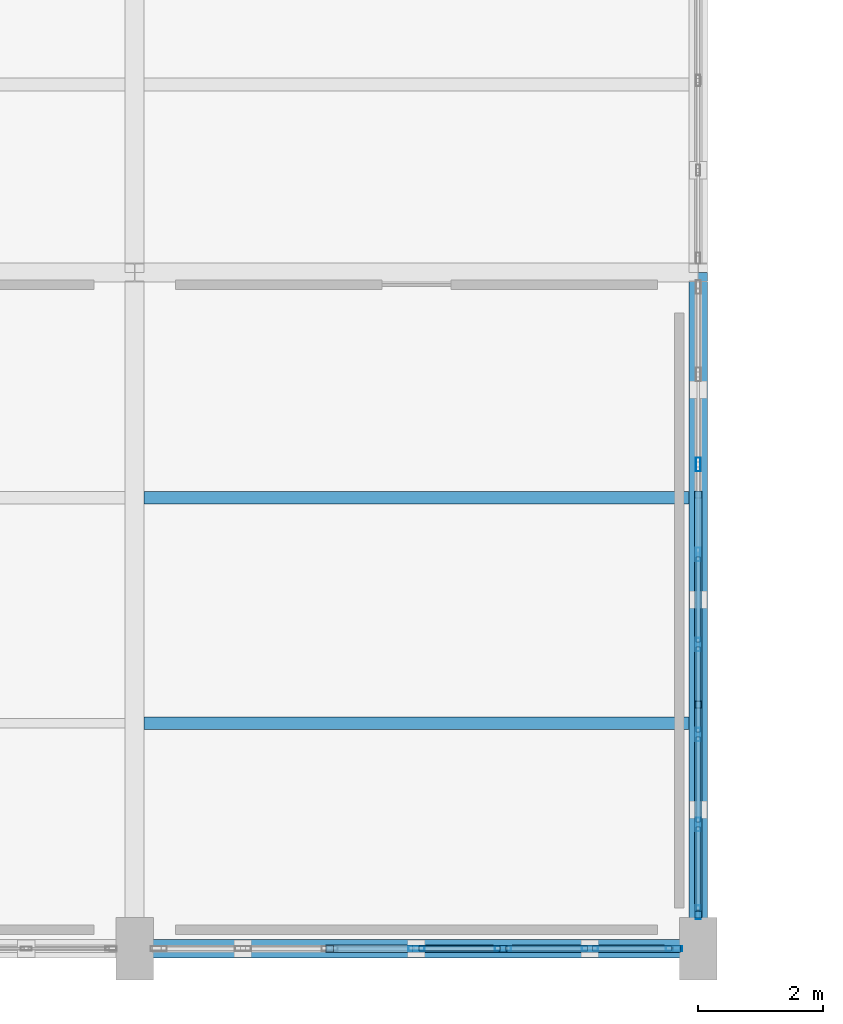
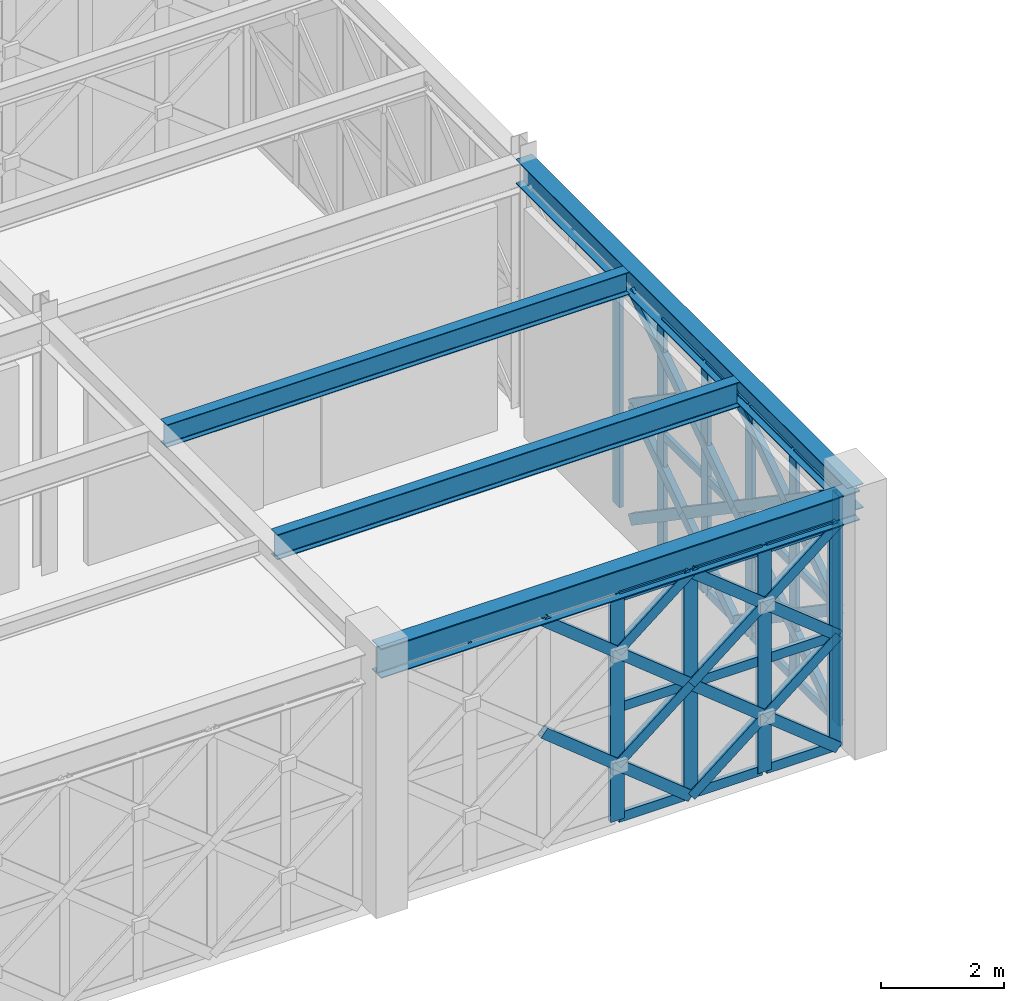
# One storey, part 46 of 155: 53 members, 4 beams, 2 elements without a shape of their own.
"""IFC4 building model written with IfcOpenShell, lengths in metres."""

from ifc_helpers import new_model, si_unit, direction, frame, origin, origin_2d, place, context, subcontext, project, spatial, hollow_rectangle, i_section, extrude, material, material_profile, profile_set, type_object, element, aggregate, save


model = new_model("IFC4")

# Units and contexts
model_context = context("Model", 3, precision=1e-05, world=origin(), true_north=direction((0.0, 1.0)))
body_context = subcontext(model_context, "Body", "Model", "MODEL_VIEW")
ifc_project = project(units=[si_unit("LENGTHUNIT", "METRE"), si_unit("AREAUNIT", "SQUARE_METRE"), si_unit("VOLUMEUNIT", "CUBIC_METRE"), si_unit("PLANEANGLEUNIT", "RADIAN"), si_unit("MASSUNIT", "GRAM", prefix="KILO")], contexts=[model_context])

# Site, building, storey
site_placement = place(None, origin())
site = spatial("IfcSite", under=ifc_project, at=site_placement, CompositionType="ELEMENT")
building_placement = place(site_placement, origin())
building = spatial("IfcBuilding", under=site, at=building_placement, Name="Haizhuo Lancet Aquarium", CompositionType="ELEMENT")
storey_placement = place(building_placement, frame((0.0, 0.0, 10.800048828125)))
storey = spatial("IfcBuildingStorey", under=building, at=storey_placement, Name="L02", CompositionType="ELEMENT", Elevation=10.800048828125)

# Beams
ifc_material_1 = material(Name="Steel S355", Category="steel")
ifc_material_profile_1 = material_profile(ifc_material_1, i_section(OverallWidth=0.300048828125, OverallDepth=0.488037109375, WebThickness=0.010986328125, FlangeThickness=0.01806640625, FilletRadius=0.02392578125, at=origin_2d()), Name="HM 488x300x11x18")
ifc_profile_set_1 = profile_set([ifc_material_profile_1], Name="Steel S355")
beam_type_1 = type_object("IfcBeamType", Name="BM-ST-HM488", PredefinedType="BEAM", material=ifc_profile_set_1)
beam_1_placement = place(storey_placement, frame((18.0, -55.800048828125, 4.805908203125), z_axis=(0.0, 1.0, 0.0), x_axis=(-1.0, 0.0, 0.0)))
element("IfcBeam", 1, at=beam_1_placement, inside=storey, type_object=beam_type_1, Name="L02 V4 primary girder BM-L02-V4-026", PredefinedType="BEAM", context=body_context, shape_type="SweptSolid", body=[
    extrude(i_section(OverallWidth=0.300048828125, OverallDepth=0.488037109375, WebThickness=0.010986328125, FlangeThickness=0.01806640625, FilletRadius=0.02392578125, at=origin_2d()), origin(), (0.0, 0.0, 1.0), 10.800048828125),
])
ifc_material_profile_2 = material_profile(ifc_material_1, i_section(OverallWidth=0.300048828125, OverallDepth=0.587890625, WebThickness=0.011962890625, FlangeThickness=0.02001953125, FilletRadius=0.02587890625, at=origin_2d()), Name="HM 588x300x12x20")
ifc_profile_set_2 = profile_set([ifc_material_profile_2], Name="Steel S355")
beam_type_2 = type_object("IfcBeamType", Name="BM-ST-HM588", PredefinedType="BEAM", material=ifc_profile_set_2)
beam_2_placement = place(storey_placement, frame((9.0, -55.800048828125, 4.755859375), z_axis=(1.0, 0.0, 0.0), x_axis=(0.0, 1.0, 0.0)))
element("IfcBeam", 2, at=beam_2_placement, inside=storey, type_object=beam_type_2, Name="L02 V4 primary girder BM-L02-V4-021", PredefinedType="BEAM", context=body_context, shape_type="SweptSolid", body=[
    extrude(i_section(OverallWidth=0.300048828125, OverallDepth=0.587890625, WebThickness=0.011962890625, FlangeThickness=0.02001953125, FilletRadius=0.02587890625, at=origin_2d()), origin(), (0.0, 0.0, 1.0), 9.0),
])

# Curtain wall, members
ifc_material_2 = material(Name="Aluminium 6063-T6", Category="aluminium")
curtain_wall_type_1 = type_object("IfcCurtainWallType", Name="CWO-10060x4560", PredefinedType="NOTDEFINED", material=ifc_material_2)
curtain_wall_1_placement = place(storey_placement, origin())
curtain_wall_1 = element("IfcCurtainWall", 3, at=curtain_wall_1_placement, inside=storey, type_object=curtain_wall_type_1, Name="L02 curtain wall CW-V4-L02-107", PredefinedType="NOTDEFINED")
ifc_material_profile_3 = material_profile(ifc_material_2, hollow_rectangle(XDim=0.074951171875, YDim=0.219970703125, WallThickness=0.0048828125, at=origin_2d()), Name="ALU-M 75x220x5")
ifc_profile_set_3 = profile_set([ifc_material_profile_3], Name="Aluminium 6063-T6")
member_type_1 = type_object("IfcMemberType", Name="CW-MUL-2", PredefinedType="MULLION", material=ifc_profile_set_3)
member_1_placement = place(storey_placement, frame((18.0, -48.069091796875, 0.0), z_axis=(0.0, 0.0, 1.0), x_axis=(1.0, 0.0, 0.0)))
member_1 = element("IfcMember", 4, at=member_1_placement, type_object=member_type_1, Name="CWO-100x45 mullion 3", PredefinedType="MULLION", context=body_context, shape_type="SweptSolid", body=[
    extrude(hollow_rectangle(XDim=0.074951171875, YDim=0.219970703125, WallThickness=0.0048828125, at=origin_2d()), origin(), (0.0, 0.0, 1.0), 4.56201171875),
])
member_2_placement = place(storey_placement, frame((18.0, -49.506103515625, 0.0), z_axis=(0.0, 0.0, 1.0), x_axis=(1.0, 0.0, 0.0)))
member_2 = element("IfcMember", 5, at=member_2_placement, type_object=member_type_1, Name="CWO-100x45 mullion 4", PredefinedType="MULLION", context=body_context, shape_type="SweptSolid", body=[
    extrude(hollow_rectangle(XDim=0.074951171875, YDim=0.219970703125, WallThickness=0.0048828125, at=origin_2d()), origin(), (0.0, 0.0, 1.0), 4.56201171875),
])
member_3_placement = place(storey_placement, frame((18.0, -50.944091796875, 0.0), z_axis=(0.0, 0.0, 1.0), x_axis=(1.0, 0.0, 0.0)))
member_3 = element("IfcMember", 6, at=member_3_placement, type_object=member_type_1, Name="CWO-100x45 mullion 5", PredefinedType="MULLION", context=body_context, shape_type="SweptSolid", body=[
    extrude(hollow_rectangle(XDim=0.074951171875, YDim=0.219970703125, WallThickness=0.0048828125, at=origin_2d()), origin(), (0.0, 0.0, 1.0), 4.56201171875),
])
member_4_placement = place(storey_placement, frame((18.0, -52.381103515625, 0.0), z_axis=(0.0, 0.0, 1.0), x_axis=(1.0, 0.0, 0.0)))
member_4 = element("IfcMember", 7, at=member_4_placement, type_object=member_type_1, Name="CWO-100x45 mullion 6", PredefinedType="MULLION", context=body_context, shape_type="SweptSolid", body=[
    extrude(hollow_rectangle(XDim=0.074951171875, YDim=0.219970703125, WallThickness=0.0048828125, at=origin_2d()), origin(), (0.0, 0.0, 1.0), 4.56201171875),
])
member_5_placement = place(storey_placement, frame((18.0, -53.818115234375, 0.0), z_axis=(0.0, 0.0, 1.0), x_axis=(1.0, 0.0, 0.0)))
member_5 = element("IfcMember", 8, at=member_5_placement, type_object=member_type_1, Name="CWO-100x45 mullion 7", PredefinedType="MULLION", context=body_context, shape_type="SweptSolid", body=[
    extrude(hollow_rectangle(XDim=0.074951171875, YDim=0.219970703125, WallThickness=0.0048828125, at=origin_2d()), origin(), (0.0, 0.0, 1.0), 4.56201171875),
])
member_6_placement = place(storey_placement, frame((18.0, -55.218017578125, 0.0), z_axis=(0.0, 0.0, 1.0), x_axis=(1.0, 0.0, 0.0)))
member_6 = element("IfcMember", 9, at=member_6_placement, type_object=member_type_1, Name="CWO-100x45 mullion 8", PredefinedType="MULLION", context=body_context, shape_type="SweptSolid", body=[
    extrude(hollow_rectangle(XDim=0.074951171875, YDim=0.219970703125, WallThickness=0.0048828125, at=origin_2d()), origin(), (0.0, 0.0, 1.0), 4.56201171875),
])

curtain_wall_type_2 = type_object("IfcCurtainWallType", Name="CWO-8310x4460", PredefinedType="NOTDEFINED", material=ifc_material_2)
curtain_wall_2_placement = place(storey_placement, origin())
curtain_wall_2 = element("IfcCurtainWall", 10, at=curtain_wall_2_placement, inside=storey, type_object=curtain_wall_type_2, Name="L02 curtain wall CW-V4-L02-108", PredefinedType="NOTDEFINED")
ifc_material_profile_4 = material_profile(ifc_material_2, hollow_rectangle(XDim=0.080078125, YDim=0.260009765625, WallThickness=0.0048828125, at=origin_2d()), Name="ALU-M 80x260x5")
ifc_profile_set_4 = profile_set([ifc_material_profile_4], Name="Aluminium 6063-T6")
member_type_2 = type_object("IfcMemberType", Name="CW-MUL-3", PredefinedType="MULLION", material=ifc_profile_set_4)
member_7_placement = place(storey_placement, frame((17.614990234375, -55.800048828125, 0.0), z_axis=(0.0, 0.0, 1.0), x_axis=(0.0, -1.0, 0.0)))
member_7 = element("IfcMember", 11, at=member_7_placement, type_object=member_type_2, Name="CWO-83x44 mullion 1", PredefinedType="MULLION", context=body_context, shape_type="SweptSolid", body=[
    extrude(hollow_rectangle(XDim=0.080078125, YDim=0.260009765625, WallThickness=0.0048828125, at=origin_2d()), origin(), (0.0, 0.0, 1.0), 4.4619140625),
])
member_8_placement = place(storey_placement, frame((16.27001953125, -55.800048828125, 0.0), z_axis=(0.0, 0.0, 1.0), x_axis=(0.0, -1.0, 0.0)))
member_8 = element("IfcMember", 12, at=member_8_placement, type_object=member_type_2, Name="CWO-83x44 mullion 2", PredefinedType="MULLION", context=body_context, shape_type="SweptSolid", body=[
    extrude(hollow_rectangle(XDim=0.080078125, YDim=0.260009765625, WallThickness=0.0048828125, at=origin_2d()), origin(), (0.0, 0.0, 1.0), 4.4619140625),
])
member_9_placement = place(storey_placement, frame((14.885009765625, -55.800048828125, 0.0), z_axis=(0.0, 0.0, 1.0), x_axis=(0.0, -1.0, 0.0)))
member_9 = element("IfcMember", 13, at=member_9_placement, type_object=member_type_2, Name="CWO-83x44 mullion 3", PredefinedType="MULLION", context=body_context, shape_type="SweptSolid", body=[
    extrude(hollow_rectangle(XDim=0.080078125, YDim=0.260009765625, WallThickness=0.0048828125, at=origin_2d()), origin(), (0.0, 0.0, 1.0), 4.4619140625),
])
member_10_placement = place(storey_placement, frame((13.5, -55.800048828125, 0.0), z_axis=(0.0, 0.0, 1.0), x_axis=(0.0, -1.0, 0.0)))
member_10 = element("IfcMember", 14, at=member_10_placement, type_object=member_type_2, Name="CWO-83x44 mullion 4", PredefinedType="MULLION", context=body_context, shape_type="SweptSolid", body=[
    extrude(hollow_rectangle(XDim=0.080078125, YDim=0.260009765625, WallThickness=0.0048828125, at=origin_2d()), origin(), (0.0, 0.0, 1.0), 4.4619140625),
])

# Member
ifc_material_profile_5 = material_profile(ifc_material_2, hollow_rectangle(XDim=0.074951171875, YDim=0.159912109375, WallThickness=0.00390625, at=origin_2d()), Name="ALU-T 75x160x4")
ifc_profile_set_5 = profile_set([ifc_material_profile_5], Name="Aluminium 6063-T6")
member_type_3 = type_object("IfcMemberType", Name="CW-TRN-2", PredefinedType="NOTDEFINED", material=ifc_profile_set_5)
member_11_placement = place(storey_placement, frame((18.0, -49.5439453125, 0.037841796875), z_axis=(0.0, -1.0, 0.0), x_axis=(1.0, 0.0, 0.0)))
member_11 = element("IfcMember", 15, at=member_11_placement, type_object=member_type_3, Name="CWO-100x45 transom 4.1", ObjectType="TRANSOM", PredefinedType="USERDEFINED", context=body_context, shape_type="SweptSolid", body=[
    extrude(hollow_rectangle(XDim=0.074951171875, YDim=0.159912109375, WallThickness=0.00390625, at=origin_2d()), origin(), (0.0, 0.0, 1.0), 1.362060546875),
])

member_12_placement = place(storey_placement, frame((18.0, -49.5439453125, 2.281005859375), z_axis=(0.0, -1.0, 0.0), x_axis=(1.0, 0.0, 0.0)))
member_12 = element("IfcMember", 16, at=member_12_placement, type_object=member_type_3, Name="CWO-100x45 transom 4.2", ObjectType="TRANSOM", PredefinedType="USERDEFINED", context=body_context, shape_type="SweptSolid", body=[
    extrude(hollow_rectangle(XDim=0.074951171875, YDim=0.159912109375, WallThickness=0.00390625, at=origin_2d()), origin(), (0.0, 0.0, 1.0), 1.362060546875),
])

member_13_placement = place(storey_placement, frame((18.0, -49.5439453125, 4.52490234375), z_axis=(0.0, -1.0, 0.0), x_axis=(1.0, 0.0, 0.0)))
member_13 = element("IfcMember", 17, at=member_13_placement, type_object=member_type_3, Name="CWO-100x45 transom 4.3", ObjectType="TRANSOM", PredefinedType="USERDEFINED", context=body_context, shape_type="SweptSolid", body=[
    extrude(hollow_rectangle(XDim=0.074951171875, YDim=0.159912109375, WallThickness=0.00390625, at=origin_2d()), origin(), (0.0, 0.0, 1.0), 1.362060546875),
])

member_14_placement = place(storey_placement, frame((18.0, -50.98095703125, 0.037841796875), z_axis=(0.0, -1.0, 0.0), x_axis=(1.0, 0.0, 0.0)))
member_14 = element("IfcMember", 18, at=member_14_placement, type_object=member_type_3, Name="CWO-100x45 transom 5.1", ObjectType="TRANSOM", PredefinedType="USERDEFINED", context=body_context, shape_type="SweptSolid", body=[
    extrude(hollow_rectangle(XDim=0.074951171875, YDim=0.159912109375, WallThickness=0.00390625, at=origin_2d()), origin(), (0.0, 0.0, 1.0), 1.362060546875),
])

member_15_placement = place(storey_placement, frame((18.0, -50.98095703125, 2.281005859375), z_axis=(0.0, -1.0, 0.0), x_axis=(1.0, 0.0, 0.0)))
member_15 = element("IfcMember", 19, at=member_15_placement, type_object=member_type_3, Name="CWO-100x45 transom 5.2", ObjectType="TRANSOM", PredefinedType="USERDEFINED", context=body_context, shape_type="SweptSolid", body=[
    extrude(hollow_rectangle(XDim=0.074951171875, YDim=0.159912109375, WallThickness=0.00390625, at=origin_2d()), origin(), (0.0, 0.0, 1.0), 1.362060546875),
])

member_16_placement = place(storey_placement, frame((18.0, -50.98095703125, 4.52490234375), z_axis=(0.0, -1.0, 0.0), x_axis=(1.0, 0.0, 0.0)))
member_16 = element("IfcMember", 20, at=member_16_placement, type_object=member_type_3, Name="CWO-100x45 transom 5.3", ObjectType="TRANSOM", PredefinedType="USERDEFINED", context=body_context, shape_type="SweptSolid", body=[
    extrude(hollow_rectangle(XDim=0.074951171875, YDim=0.159912109375, WallThickness=0.00390625, at=origin_2d()), origin(), (0.0, 0.0, 1.0), 1.362060546875),
])

member_17_placement = place(storey_placement, frame((18.0, -52.41796875, 0.037841796875), z_axis=(0.0, -1.0, 0.0), x_axis=(1.0, 0.0, 0.0)))
member_17 = element("IfcMember", 21, at=member_17_placement, type_object=member_type_3, Name="CWO-100x45 transom 6.1", ObjectType="TRANSOM", PredefinedType="USERDEFINED", context=body_context, shape_type="SweptSolid", body=[
    extrude(hollow_rectangle(XDim=0.074951171875, YDim=0.159912109375, WallThickness=0.00390625, at=origin_2d()), origin(), (0.0, 0.0, 1.0), 1.362060546875),
])

member_18_placement = place(storey_placement, frame((18.0, -52.41796875, 2.281005859375), z_axis=(0.0, -1.0, 0.0), x_axis=(1.0, 0.0, 0.0)))
member_18 = element("IfcMember", 22, at=member_18_placement, type_object=member_type_3, Name="CWO-100x45 transom 6.2", ObjectType="TRANSOM", PredefinedType="USERDEFINED", context=body_context, shape_type="SweptSolid", body=[
    extrude(hollow_rectangle(XDim=0.074951171875, YDim=0.159912109375, WallThickness=0.00390625, at=origin_2d()), origin(), (0.0, 0.0, 1.0), 1.362060546875),
])

member_19_placement = place(storey_placement, frame((18.0, -52.41796875, 4.52490234375), z_axis=(0.0, -1.0, 0.0), x_axis=(1.0, 0.0, 0.0)))
member_19 = element("IfcMember", 23, at=member_19_placement, type_object=member_type_3, Name="CWO-100x45 transom 6.3", ObjectType="TRANSOM", PredefinedType="USERDEFINED", context=body_context, shape_type="SweptSolid", body=[
    extrude(hollow_rectangle(XDim=0.074951171875, YDim=0.159912109375, WallThickness=0.00390625, at=origin_2d()), origin(), (0.0, 0.0, 1.0), 1.362060546875),
])

member_20_placement = place(storey_placement, frame((18.0, -53.85498046875, 0.037841796875), z_axis=(0.0, -1.0, 0.0), x_axis=(1.0, 0.0, 0.0)))
member_20 = element("IfcMember", 24, at=member_20_placement, type_object=member_type_3, Name="CWO-100x45 transom 7.1", ObjectType="TRANSOM", PredefinedType="USERDEFINED", context=body_context, shape_type="SweptSolid", body=[
    extrude(hollow_rectangle(XDim=0.074951171875, YDim=0.159912109375, WallThickness=0.00390625, at=origin_2d()), origin(), (0.0, 0.0, 1.0), 1.324951171875),
])

member_21_placement = place(storey_placement, frame((18.0, -53.85498046875, 2.281005859375), z_axis=(0.0, -1.0, 0.0), x_axis=(1.0, 0.0, 0.0)))
member_21 = element("IfcMember", 25, at=member_21_placement, type_object=member_type_3, Name="CWO-100x45 transom 7.2", ObjectType="TRANSOM", PredefinedType="USERDEFINED", context=body_context, shape_type="SweptSolid", body=[
    extrude(hollow_rectangle(XDim=0.074951171875, YDim=0.159912109375, WallThickness=0.00390625, at=origin_2d()), origin(), (0.0, 0.0, 1.0), 1.324951171875),
])

member_22_placement = place(storey_placement, frame((18.0, -53.85498046875, 4.52490234375), z_axis=(0.0, -1.0, 0.0), x_axis=(1.0, 0.0, 0.0)))
member_22 = element("IfcMember", 26, at=member_22_placement, type_object=member_type_3, Name="CWO-100x45 transom 7.3", ObjectType="TRANSOM", PredefinedType="USERDEFINED", context=body_context, shape_type="SweptSolid", body=[
    extrude(hollow_rectangle(XDim=0.074951171875, YDim=0.159912109375, WallThickness=0.00390625, at=origin_2d()), origin(), (0.0, 0.0, 1.0), 1.324951171875),
])

aggregate(curtain_wall_1, [member_1, member_2, member_3, member_4, member_5, member_6, member_11, member_12, member_13, member_14, member_15, member_16, member_17, member_18, member_19, member_20, member_21, member_22])

ifc_material_profile_6 = material_profile(ifc_material_2, hollow_rectangle(XDim=0.080078125, YDim=0.18994140625, WallThickness=0.0048828125, at=origin_2d()), Name="ALU-T 80x190x5")
ifc_profile_set_6 = profile_set([ifc_material_profile_6], Name="Aluminium 6063-T6")
member_type_4 = type_object("IfcMemberType", Name="CW-TRN-3", PredefinedType="NOTDEFINED", material=ifc_profile_set_6)
member_23_placement = place(storey_placement, frame((17.574951171875, -55.800048828125, 0.0400390625), z_axis=(-1.0, 0.0, 0.0), x_axis=(0.0, -1.0, 0.0)))
member_23 = element("IfcMember", 27, at=member_23_placement, type_object=member_type_4, Name="CWO-83x44 transom 1.1", ObjectType="TRANSOM", PredefinedType="USERDEFINED", context=body_context, shape_type="SweptSolid", body=[
    extrude(hollow_rectangle(XDim=0.080078125, YDim=0.18994140625, WallThickness=0.0048828125, at=origin_2d()), origin(), (0.0, 0.0, 1.0), 1.264892578125),
])

member_24_placement = place(storey_placement, frame((17.574951171875, -55.800048828125, 2.23095703125), z_axis=(-1.0, 0.0, 0.0), x_axis=(0.0, -1.0, 0.0)))
member_24 = element("IfcMember", 28, at=member_24_placement, type_object=member_type_4, Name="CWO-83x44 transom 1.2", ObjectType="TRANSOM", PredefinedType="USERDEFINED", context=body_context, shape_type="SweptSolid", body=[
    extrude(hollow_rectangle(XDim=0.080078125, YDim=0.18994140625, WallThickness=0.0048828125, at=origin_2d()), origin(), (0.0, 0.0, 1.0), 1.264892578125),
])

member_25_placement = place(storey_placement, frame((17.574951171875, -55.800048828125, 4.421875), z_axis=(-1.0, 0.0, 0.0), x_axis=(0.0, -1.0, 0.0)))
member_25 = element("IfcMember", 29, at=member_25_placement, type_object=member_type_4, Name="CWO-83x44 transom 1.3", ObjectType="TRANSOM", PredefinedType="USERDEFINED", context=body_context, shape_type="SweptSolid", body=[
    extrude(hollow_rectangle(XDim=0.080078125, YDim=0.18994140625, WallThickness=0.0048828125, at=origin_2d()), origin(), (0.0, 0.0, 1.0), 1.264892578125),
])

member_26_placement = place(storey_placement, frame((16.22998046875, -55.800048828125, 0.0400390625), z_axis=(-1.0, 0.0, 0.0), x_axis=(0.0, -1.0, 0.0)))
member_26 = element("IfcMember", 30, at=member_26_placement, type_object=member_type_4, Name="CWO-83x44 transom 2.1", ObjectType="TRANSOM", PredefinedType="USERDEFINED", context=body_context, shape_type="SweptSolid", body=[
    extrude(hollow_rectangle(XDim=0.080078125, YDim=0.18994140625, WallThickness=0.0048828125, at=origin_2d()), origin(), (0.0, 0.0, 1.0), 1.304931640625),
])

member_27_placement = place(storey_placement, frame((16.22998046875, -55.800048828125, 2.23095703125), z_axis=(-1.0, 0.0, 0.0), x_axis=(0.0, -1.0, 0.0)))
member_27 = element("IfcMember", 31, at=member_27_placement, type_object=member_type_4, Name="CWO-83x44 transom 2.2", ObjectType="TRANSOM", PredefinedType="USERDEFINED", context=body_context, shape_type="SweptSolid", body=[
    extrude(hollow_rectangle(XDim=0.080078125, YDim=0.18994140625, WallThickness=0.0048828125, at=origin_2d()), origin(), (0.0, 0.0, 1.0), 1.304931640625),
])

member_28_placement = place(storey_placement, frame((16.22998046875, -55.800048828125, 4.421875), z_axis=(-1.0, 0.0, 0.0), x_axis=(0.0, -1.0, 0.0)))
member_28 = element("IfcMember", 32, at=member_28_placement, type_object=member_type_4, Name="CWO-83x44 transom 2.3", ObjectType="TRANSOM", PredefinedType="USERDEFINED", context=body_context, shape_type="SweptSolid", body=[
    extrude(hollow_rectangle(XDim=0.080078125, YDim=0.18994140625, WallThickness=0.0048828125, at=origin_2d()), origin(), (0.0, 0.0, 1.0), 1.304931640625),
])

member_29_placement = place(storey_placement, frame((14.844970703125, -55.800048828125, 0.0400390625), z_axis=(-1.0, 0.0, 0.0), x_axis=(0.0, -1.0, 0.0)))
member_29 = element("IfcMember", 33, at=member_29_placement, type_object=member_type_4, Name="CWO-83x44 transom 3.1", ObjectType="TRANSOM", PredefinedType="USERDEFINED", context=body_context, shape_type="SweptSolid", body=[
    extrude(hollow_rectangle(XDim=0.080078125, YDim=0.18994140625, WallThickness=0.0048828125, at=origin_2d()), origin(), (0.0, 0.0, 1.0), 1.304931640625),
])

member_30_placement = place(storey_placement, frame((14.844970703125, -55.800048828125, 2.23095703125), z_axis=(-1.0, 0.0, 0.0), x_axis=(0.0, -1.0, 0.0)))
member_30 = element("IfcMember", 34, at=member_30_placement, type_object=member_type_4, Name="CWO-83x44 transom 3.2", ObjectType="TRANSOM", PredefinedType="USERDEFINED", context=body_context, shape_type="SweptSolid", body=[
    extrude(hollow_rectangle(XDim=0.080078125, YDim=0.18994140625, WallThickness=0.0048828125, at=origin_2d()), origin(), (0.0, 0.0, 1.0), 1.304931640625),
])

member_31_placement = place(storey_placement, frame((14.844970703125, -55.800048828125, 4.421875), z_axis=(-1.0, 0.0, 0.0), x_axis=(0.0, -1.0, 0.0)))
member_31 = element("IfcMember", 35, at=member_31_placement, type_object=member_type_4, Name="CWO-83x44 transom 3.3", ObjectType="TRANSOM", PredefinedType="USERDEFINED", context=body_context, shape_type="SweptSolid", body=[
    extrude(hollow_rectangle(XDim=0.080078125, YDim=0.18994140625, WallThickness=0.0048828125, at=origin_2d()), origin(), (0.0, 0.0, 1.0), 1.304931640625),
])

aggregate(curtain_wall_2, [member_7, member_8, member_9, member_10, member_23, member_24, member_25, member_26, member_27, member_28, member_29, member_30, member_31])

# Beams
ifc_material_profile_7 = material_profile(ifc_material_1, i_section(OverallWidth=0.199951171875, OverallDepth=0.449951171875, WebThickness=0.009033203125, FlangeThickness=0.013916015625, FilletRadius=0.01806640625, at=origin_2d()), Name="HN 450x200x9x14")
ifc_profile_set_7 = profile_set([ifc_material_profile_7], Name="Steel S355")
beam_type_3 = type_object("IfcBeamType", Name="JST-ST-HN450", PredefinedType="JOIST", material=ifc_profile_set_7)
beam_3_placement = place(storey_placement, frame((9.14990234375, -48.60009765625, 4.824951171875), z_axis=(1.0, 0.0, 0.0), x_axis=(0.0, 1.0, 0.0)))
element("IfcBeam", 36, at=beam_3_placement, inside=storey, type_object=beam_type_3, Name="L02 V4 secondary floor joist 18", PredefinedType="JOIST", context=body_context, shape_type="SweptSolid", body=[
    extrude(i_section(OverallWidth=0.199951171875, OverallDepth=0.449951171875, WebThickness=0.009033203125, FlangeThickness=0.013916015625, FilletRadius=0.01806640625, at=origin_2d()), origin(), (0.0, 0.0, 1.0), 8.7001953125),
])
ifc_material_profile_8 = material_profile(ifc_material_1, i_section(OverallWidth=0.199951171875, OverallDepth=0.5, WebThickness=0.010009765625, FlangeThickness=0.01611328125, FilletRadius=0.02001953125, at=origin_2d()), Name="HN 500x200x10x16")
ifc_profile_set_8 = profile_set([ifc_material_profile_8], Name="Steel S355")
beam_type_4 = type_object("IfcBeamType", Name="JST-ST-HN500", PredefinedType="JOIST", material=ifc_profile_set_8)
beam_4_placement = place(storey_placement, frame((9.14990234375, -52.199951171875, 4.800048828125), z_axis=(1.0, 0.0, 0.0), x_axis=(0.0, 1.0, 0.0)))
element("IfcBeam", 37, at=beam_4_placement, inside=storey, type_object=beam_type_4, Name="L02 V4 secondary floor joist 17", PredefinedType="JOIST", context=body_context, shape_type="SweptSolid", body=[
    extrude(i_section(OverallWidth=0.199951171875, OverallDepth=0.5, WebThickness=0.010009765625, FlangeThickness=0.01611328125, FilletRadius=0.02001953125, at=origin_2d()), origin(), (0.0, 0.0, 1.0), 8.7001953125),
])

# Members
ifc_material_profile_9 = material_profile(ifc_material_1, hollow_rectangle(XDim=0.1201171875, YDim=0.199951171875, WallThickness=0.008056640625, at=origin_2d()), Name="RHS 120x200x8")
ifc_profile_set_9 = profile_set([ifc_material_profile_9], Name="Steel S355")
member_type_5 = type_object("IfcMemberType", Name="MEM-LB-RHS120x200", PredefinedType="BRACE", material=ifc_profile_set_9)
member_32_placement = place(storey_placement, frame((18.0, -48.548095703125, 0.0), z_axis=(0.0, -0.826894034819, 0.562357764399), x_axis=(1.0, 0.0, 0.0)))
element("IfcMember", 38, at=member_32_placement, inside=storey, type_object=member_type_5, Name="Gothic lancet continuous diagonal brace CW-V4-L02-107 3A", PredefinedType="BRACE", context=body_context, shape_type="SweptSolid", body=[
    extrude(hollow_rectangle(XDim=0.1201171875, YDim=0.199951171875, WallThickness=0.008056640625, at=origin_2d()), origin(), (0.0, 0.0, 1.0), 4.05615234375),
])
member_33_placement = place(storey_placement, frame((18.0, -51.902099609375, 0.0), z_axis=(0.0, 0.826810066836, 0.562481211578), x_axis=(-1.0, 0.0, 0.0)))
element("IfcMember", 39, at=member_33_placement, inside=storey, type_object=member_type_5, Name="Gothic lancet split diagonal brace CW-V4-L02-107 3B1", PredefinedType="BRACE", context=body_context, shape_type="SweptSolid", body=[
    extrude(hollow_rectangle(XDim=0.1201171875, YDim=0.199951171875, WallThickness=0.008056640625, at=origin_2d()), origin(), (0.0, 0.0, 1.0), 2.0283203125),
])
member_34_placement = place(storey_placement, frame((18.0, -50.22509765625, 1.140869140625), z_axis=(0.0, 0.82697800142, 0.562234279609), x_axis=(-1.0, 0.0, 0.0)))
element("IfcMember", 40, at=member_34_placement, inside=storey, type_object=member_type_5, Name="Gothic lancet split diagonal brace CW-V4-L02-107 3B2", PredefinedType="BRACE", context=body_context, shape_type="SweptSolid", body=[
    extrude(hollow_rectangle(XDim=0.1201171875, YDim=0.199951171875, WallThickness=0.008056640625, at=origin_2d()), origin(), (0.0, 0.0, 1.0), 2.02783203125),
])
member_35_placement = place(storey_placement, frame((18.0, -48.548095703125, 2.281005859375), z_axis=(0.0, -0.826894034819, 0.562357764399), x_axis=(1.0, 0.0, 0.0)))
element("IfcMember", 41, at=member_35_placement, inside=storey, type_object=member_type_5, Name="Gothic lancet continuous diagonal brace CW-V4-L02-107 4A", PredefinedType="BRACE", context=body_context, shape_type="SweptSolid", body=[
    extrude(hollow_rectangle(XDim=0.1201171875, YDim=0.199951171875, WallThickness=0.008056640625, at=origin_2d()), origin(), (0.0, 0.0, 1.0), 4.05615234375),
])
member_36_placement = place(storey_placement, frame((18.0, -51.902099609375, 2.281005859375), z_axis=(0.0, 0.82703397838, 0.562151935516), x_axis=(-1.0, 0.0, 0.0)))
element("IfcMember", 42, at=member_36_placement, inside=storey, type_object=member_type_5, Name="Gothic lancet split diagonal brace CW-V4-L02-107 4B1", PredefinedType="BRACE", context=body_context, shape_type="SweptSolid", body=[
    extrude(hollow_rectangle(XDim=0.1201171875, YDim=0.199951171875, WallThickness=0.008056640625, at=origin_2d()), origin(), (0.0, 0.0, 1.0), 2.02783203125),
])
member_37_placement = place(storey_placement, frame((18.0, -50.22509765625, 3.4208984375), z_axis=(0.0, 0.826754087419, 0.562563488804), x_axis=(-1.0, 0.0, 0.0)))
element("IfcMember", 43, at=member_37_placement, inside=storey, type_object=member_type_5, Name="Gothic lancet split diagonal brace CW-V4-L02-107 4B2", PredefinedType="BRACE", context=body_context, shape_type="SweptSolid", body=[
    extrude(hollow_rectangle(XDim=0.1201171875, YDim=0.199951171875, WallThickness=0.008056640625, at=origin_2d()), origin(), (0.0, 0.0, 1.0), 2.0283203125),
])
member_38_placement = place(storey_placement, frame((18.0, -51.902099609375, 0.0), z_axis=(0.0, -0.826798824532, 0.562497736664), x_axis=(1.0, 0.0, 0.0)))
element("IfcMember", 44, at=member_38_placement, inside=storey, type_object=member_type_5, Name="Gothic lancet continuous diagonal brace CW-V4-L02-107 5A", PredefinedType="BRACE", context=body_context, shape_type="SweptSolid", body=[
    extrude(hollow_rectangle(XDim=0.1201171875, YDim=0.199951171875, WallThickness=0.008056640625, at=origin_2d()), origin(), (0.0, 0.0, 1.0), 4.05517578125),
])
member_39_placement = place(storey_placement, frame((18.0, -55.2548828125, 0.0), z_axis=(0.0, 0.826619510885, 0.562761214214), x_axis=(-1.0, 0.0, 0.0)))
element("IfcMember", 45, at=member_39_placement, inside=storey, type_object=member_type_5, Name="Gothic lancet split diagonal brace CW-V4-L02-107 5B1", PredefinedType="BRACE", context=body_context, shape_type="SweptSolid", body=[
    extrude(hollow_rectangle(XDim=0.1201171875, YDim=0.199951171875, WallThickness=0.008056640625, at=origin_2d()), origin(), (0.0, 0.0, 1.0), 2.02734375),
])
member_40_placement = place(storey_placement, frame((18.0, -53.5791015625, 1.140869140625), z_axis=(0.0, 0.82697800142, 0.562234279609), x_axis=(-1.0, 0.0, 0.0)))
element("IfcMember", 46, at=member_40_placement, inside=storey, type_object=member_type_5, Name="Gothic lancet split diagonal brace CW-V4-L02-107 5B2", PredefinedType="BRACE", context=body_context, shape_type="SweptSolid", body=[
    extrude(hollow_rectangle(XDim=0.1201171875, YDim=0.199951171875, WallThickness=0.008056640625, at=origin_2d()), origin(), (0.0, 0.0, 1.0), 2.02783203125),
])
member_41_placement = place(storey_placement, frame((18.0, -51.902099609375, 2.281005859375), z_axis=(0.0, -0.826798824532, 0.562497736664), x_axis=(1.0, 0.0, 0.0)))
element("IfcMember", 47, at=member_41_placement, inside=storey, type_object=member_type_5, Name="Gothic lancet continuous diagonal brace CW-V4-L02-107 6A", PredefinedType="BRACE", context=body_context, shape_type="SweptSolid", body=[
    extrude(hollow_rectangle(XDim=0.1201171875, YDim=0.199951171875, WallThickness=0.008056640625, at=origin_2d()), origin(), (0.0, 0.0, 1.0), 4.05517578125),
])
member_42_placement = place(storey_placement, frame((18.0, -55.2548828125, 2.281005859375), z_axis=(0.0, 0.826843593845, 0.562431925941), x_axis=(-1.0, 0.0, 0.0)))
element("IfcMember", 48, at=member_42_placement, inside=storey, type_object=member_type_5, Name="Gothic lancet split diagonal brace CW-V4-L02-107 6B1", PredefinedType="BRACE", context=body_context, shape_type="SweptSolid", body=[
    extrude(hollow_rectangle(XDim=0.1201171875, YDim=0.199951171875, WallThickness=0.008056640625, at=origin_2d()), origin(), (0.0, 0.0, 1.0), 2.026611328125),
])
member_43_placement = place(storey_placement, frame((18.0, -53.5791015625, 3.4208984375), z_axis=(0.0, 0.826754087419, 0.562563488804), x_axis=(-1.0, 0.0, 0.0)))
element("IfcMember", 49, at=member_43_placement, inside=storey, type_object=member_type_5, Name="Gothic lancet split diagonal brace CW-V4-L02-107 6B2", PredefinedType="BRACE", context=body_context, shape_type="SweptSolid", body=[
    extrude(hollow_rectangle(XDim=0.1201171875, YDim=0.199951171875, WallThickness=0.008056640625, at=origin_2d()), origin(), (0.0, 0.0, 1.0), 2.0283203125),
])
member_44_placement = place(storey_placement, frame((17.655029296875, -55.800048828125, 0.0), z_axis=(-0.778815384678, 0.0, 0.627253215687), x_axis=(0.0, -1.0, 0.0)))
element("IfcMember", 50, at=member_44_placement, inside=storey, type_object=member_type_5, Name="Gothic lancet continuous diagonal brace CW-V4-L02-108 1A", PredefinedType="BRACE", context=body_context, shape_type="SweptSolid", body=[
    extrude(hollow_rectangle(XDim=0.1201171875, YDim=0.199951171875, WallThickness=0.008056640625, at=origin_2d()), origin(), (0.0, 0.0, 1.0), 3.556640625),
])
member_45_placement = place(storey_placement, frame((14.885009765625, -55.800048828125, 0.0), z_axis=(0.77868125898, 0.0, 0.62741971352), x_axis=(0.0, 1.0, 0.0)))
element("IfcMember", 51, at=member_45_placement, inside=storey, type_object=member_type_5, Name="Gothic lancet split diagonal brace CW-V4-L02-108 1B1", PredefinedType="BRACE", context=body_context, shape_type="SweptSolid", body=[
    extrude(hollow_rectangle(XDim=0.1201171875, YDim=0.199951171875, WallThickness=0.008056640625, at=origin_2d()), origin(), (0.0, 0.0, 1.0), 1.778564453125),
])
member_46_placement = place(storey_placement, frame((16.27001953125, -55.800048828125, 1.115966796875), z_axis=(0.778949520963, 0.0, 0.627086631807), x_axis=(0.0, 1.0, 0.0)))
element("IfcMember", 52, at=member_46_placement, inside=storey, type_object=member_type_5, Name="Gothic lancet split diagonal brace CW-V4-L02-108 1B2", PredefinedType="BRACE", context=body_context, shape_type="SweptSolid", body=[
    extrude(hollow_rectangle(XDim=0.1201171875, YDim=0.199951171875, WallThickness=0.008056640625, at=origin_2d()), origin(), (0.0, 0.0, 1.0), 1.778076171875),
])
member_47_placement = place(storey_placement, frame((17.655029296875, -55.800048828125, 2.23095703125), z_axis=(-0.778815384678, 0.0, 0.627253215687), x_axis=(0.0, -1.0, 0.0)))
element("IfcMember", 53, at=member_47_placement, inside=storey, type_object=member_type_5, Name="Gothic lancet continuous diagonal brace CW-V4-L02-108 2A", PredefinedType="BRACE", context=body_context, shape_type="SweptSolid", body=[
    extrude(hollow_rectangle(XDim=0.1201171875, YDim=0.199951171875, WallThickness=0.008056640625, at=origin_2d()), origin(), (0.0, 0.0, 1.0), 3.556640625),
])
member_48_placement = place(storey_placement, frame((14.885009765625, -55.800048828125, 2.23095703125), z_axis=(0.778949520963, 0.0, 0.627086631807), x_axis=(0.0, 1.0, 0.0)))
element("IfcMember", 54, at=member_48_placement, inside=storey, type_object=member_type_5, Name="Gothic lancet split diagonal brace CW-V4-L02-108 2B1", PredefinedType="BRACE", context=body_context, shape_type="SweptSolid", body=[
    extrude(hollow_rectangle(XDim=0.1201171875, YDim=0.199951171875, WallThickness=0.008056640625, at=origin_2d()), origin(), (0.0, 0.0, 1.0), 1.778076171875),
])
member_49_placement = place(storey_placement, frame((16.27001953125, -55.800048828125, 3.345947265625), z_axis=(0.77868125898, 0.0, 0.62741971352), x_axis=(0.0, 1.0, 0.0)))
element("IfcMember", 55, at=member_49_placement, inside=storey, type_object=member_type_5, Name="Gothic lancet split diagonal brace CW-V4-L02-108 2B2", PredefinedType="BRACE", context=body_context, shape_type="SweptSolid", body=[
    extrude(hollow_rectangle(XDim=0.1201171875, YDim=0.199951171875, WallThickness=0.008056640625, at=origin_2d()), origin(), (0.0, 0.0, 1.0), 1.778564453125),
])
member_50_placement = place(storey_placement, frame((14.885009765625, -55.800048828125, 0.0), z_axis=(-0.778815384678, 0.0, 0.627253215687), x_axis=(0.0, -1.0, 0.0)))
element("IfcMember", 56, at=member_50_placement, inside=storey, type_object=member_type_5, Name="Gothic lancet continuous diagonal brace CW-V4-L02-108 3A", PredefinedType="BRACE", context=body_context, shape_type="SweptSolid", body=[
    extrude(hollow_rectangle(XDim=0.1201171875, YDim=0.199951171875, WallThickness=0.008056640625, at=origin_2d()), origin(), (0.0, 0.0, 1.0), 3.556640625),
])
member_51_placement = place(storey_placement, frame((13.5, -55.800048828125, 1.115966796875), z_axis=(0.778949520963, 0.0, 0.627086631807), x_axis=(0.0, 1.0, 0.0)))
element("IfcMember", 57, at=member_51_placement, inside=storey, type_object=member_type_5, Name="Gothic lancet split diagonal brace CW-V4-L02-108 3B2", PredefinedType="BRACE", context=body_context, shape_type="SweptSolid", body=[
    extrude(hollow_rectangle(XDim=0.1201171875, YDim=0.199951171875, WallThickness=0.008056640625, at=origin_2d()), origin(), (0.0, 0.0, 1.0), 1.778076171875),
])
member_52_placement = place(storey_placement, frame((14.885009765625, -55.800048828125, 2.23095703125), z_axis=(-0.778815384678, 0.0, 0.627253215687), x_axis=(0.0, -1.0, 0.0)))
element("IfcMember", 58, at=member_52_placement, inside=storey, type_object=member_type_5, Name="Gothic lancet continuous diagonal brace CW-V4-L02-108 4A", PredefinedType="BRACE", context=body_context, shape_type="SweptSolid", body=[
    extrude(hollow_rectangle(XDim=0.1201171875, YDim=0.199951171875, WallThickness=0.008056640625, at=origin_2d()), origin(), (0.0, 0.0, 1.0), 3.556640625),
])
member_53_placement = place(storey_placement, frame((13.5, -55.800048828125, 3.345947265625), z_axis=(0.77868125898, 0.0, 0.62741971352), x_axis=(0.0, 1.0, 0.0)))
element("IfcMember", 59, at=member_53_placement, inside=storey, type_object=member_type_5, Name="Gothic lancet split diagonal brace CW-V4-L02-108 4B2", PredefinedType="BRACE", context=body_context, shape_type="SweptSolid", body=[
    extrude(hollow_rectangle(XDim=0.1201171875, YDim=0.199951171875, WallThickness=0.008056640625, at=origin_2d()), origin(), (0.0, 0.0, 1.0), 1.778564453125),
])

save(model, "model.ifc")
